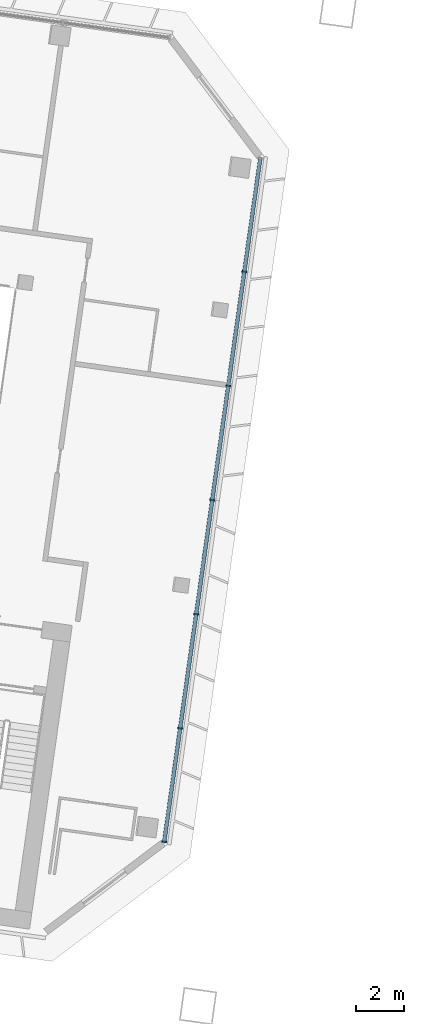
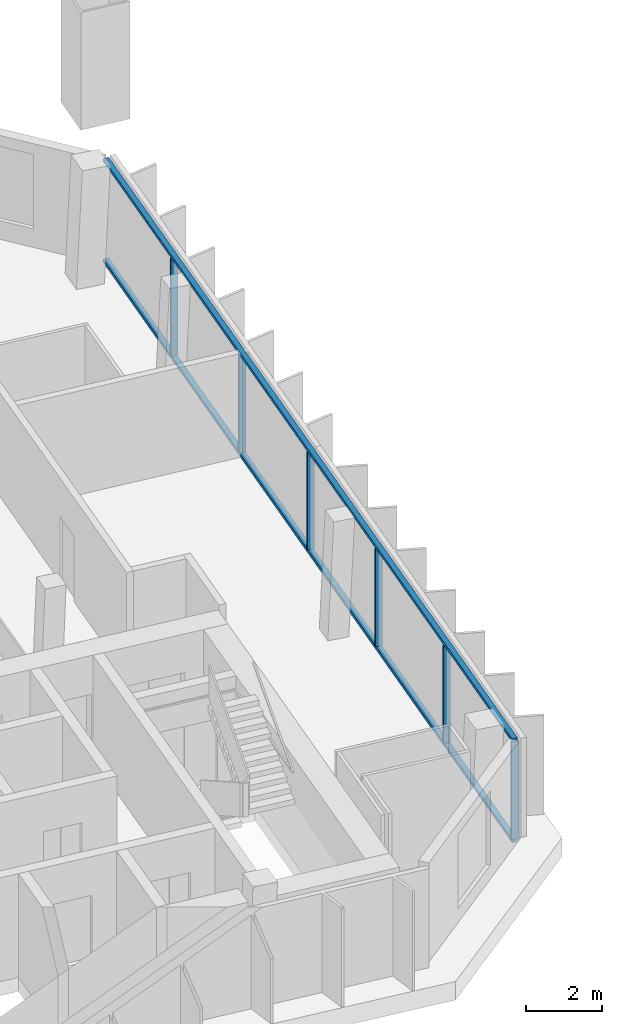
# One storey, part 6 of 25: 8 members, 1 element without a shape of its own.
"""IFC4 building model written with IfcOpenShell, lengths in metres."""

from ifc_helpers import new_model, si_unit, direction, frame, origin, origin_2d, place, context, subcontext, project, spatial, rectangle, extrude, material, material_profile, profile_set, type_object, element, aggregate, save


model = new_model("IFC4")

# Units and contexts
model_context = context("Model", 3, precision=1e-05, world=origin(), true_north=direction((0.0, 1.0)))
body_context = subcontext(model_context, "Body", "Model", "MODEL_VIEW")
ifc_project = project(units=[si_unit("LENGTHUNIT", "METRE"), si_unit("AREAUNIT", "SQUARE_METRE"), si_unit("VOLUMEUNIT", "CUBIC_METRE"), si_unit("PLANEANGLEUNIT", "RADIAN"), si_unit("MASSUNIT", "GRAM", prefix="KILO")], contexts=[model_context])

# Site, building, storey
site_placement = place(None, origin())
site = spatial("IfcSite", under=ifc_project, at=site_placement, CompositionType="ELEMENT")
building_placement = place(site_placement, origin())
building = spatial("IfcBuilding", under=site, at=building_placement, Name="Mirante Cascada Hotel Towers", CompositionType="ELEMENT")
storey_placement = place(building_placement, frame((0.0, 0.0, 172.6)))
storey = spatial("IfcBuildingStorey", under=building, at=storey_placement, Name="L40", CompositionType="ELEMENT", Elevation=172.6)

# Curtain wall, members
ifc_material_1 = material(Name="Aluminium mullion and transom frame with clear laminated glass", Category="aluminium")
curtain_wall_type = type_object("IfcCurtainWallType", Name="End ribbon curtain wall ECW2", PredefinedType="NOTDEFINED", material=ifc_material_1)
curtain_wall_placement = place(storey_placement, origin())
curtain_wall = element("IfcCurtainWall", 1, at=curtain_wall_placement, inside=storey, type_object=curtain_wall_type, Name="Inner end wall T1 L40", PredefinedType="NOTDEFINED")
ifc_material_2 = material(Name="Anodised aluminium extrusion", Category="aluminium")
ifc_material_profile_1 = material_profile(ifc_material_2, rectangle(XDim=0.2, YDim=0.065, at=origin_2d()), Name="ECW2 MULLION 65x200")
ifc_profile_set_1 = profile_set([ifc_material_profile_1], Name="Anodised aluminium extrusion")
member_type_1 = type_object("IfcMemberType", Name="ECW2 mullion 65x200", PredefinedType="MULLION", material=ifc_profile_set_1)
member_1_placement = place(storey_placement, frame((-28.3071, 7.4819, 0.1), z_axis=(0.0, 0.0, 1.0), x_axis=(0.9902681, -0.1391731, 0.0)))
member_1 = element("IfcMember", 2, at=member_1_placement, type_object=member_type_1, Name="ECW2 mullion 2", PredefinedType="MULLION", context=body_context, shape_type="SweptSolid", body=[
    extrude(rectangle(XDim=0.2, YDim=0.065, at=origin_2d()), origin(), (0.0, 0.0, 1.0), 3.15),
])
member_2_placement = place(storey_placement, frame((-28.9769, 2.7161, 0.1), z_axis=(0.0, 0.0, 1.0), x_axis=(0.9902681, -0.1391731, 0.0)))
member_2 = element("IfcMember", 3, at=member_2_placement, type_object=member_type_1, Name="ECW2 mullion 3", PredefinedType="MULLION", context=body_context, shape_type="SweptSolid", body=[
    extrude(rectangle(XDim=0.2, YDim=0.065, at=origin_2d()), origin(), (0.0, 0.0, 1.0), 3.15),
])
member_3_placement = place(storey_placement, frame((-29.6467, -2.0497, 0.1), z_axis=(0.0, 0.0, 1.0), x_axis=(0.9902681, -0.1391731, 0.0)))
member_3 = element("IfcMember", 4, at=member_3_placement, type_object=member_type_1, Name="ECW2 mullion 4", PredefinedType="MULLION", context=body_context, shape_type="SweptSolid", body=[
    extrude(rectangle(XDim=0.2, YDim=0.065, at=origin_2d()), origin(), (0.0, 0.0, 1.0), 3.15),
])
member_4_placement = place(storey_placement, frame((-30.3165, -6.8154, 0.1), z_axis=(0.0, 0.0, 1.0), x_axis=(0.9902681, -0.1391731, 0.0)))
member_4 = element("IfcMember", 5, at=member_4_placement, type_object=member_type_1, Name="ECW2 mullion 5", PredefinedType="MULLION", context=body_context, shape_type="SweptSolid", body=[
    extrude(rectangle(XDim=0.2, YDim=0.065, at=origin_2d()), origin(), (0.0, 0.0, 1.0), 3.15),
])
member_5_placement = place(storey_placement, frame((-30.9863, -11.5812, 0.1), z_axis=(0.0, 0.0, 1.0), x_axis=(0.9902681, -0.1391731, 0.0)))
member_5 = element("IfcMember", 6, at=member_5_placement, type_object=member_type_1, Name="ECW2 mullion 6", PredefinedType="MULLION", context=body_context, shape_type="SweptSolid", body=[
    extrude(rectangle(XDim=0.2, YDim=0.065, at=origin_2d()), origin(), (0.0, 0.0, 1.0), 3.15),
])
member_6_placement = place(storey_placement, frame((-31.6515, -16.3148, 0.1), z_axis=(0.0, 0.0, 1.0), x_axis=(0.9902681, -0.1391731, 0.0)))
member_6 = element("IfcMember", 7, at=member_6_placement, type_object=member_type_1, Name="ECW2 mullion 7", PredefinedType="MULLION", context=body_context, shape_type="SweptSolid", body=[
    extrude(rectangle(XDim=0.2, YDim=0.065, at=origin_2d()), origin(), (0.0, 0.0, 1.0), 3.15),
])
ifc_material_3 = material(Name="Anodised aluminium extrusion", Category="aluminium")
ifc_material_profile_2 = material_profile(ifc_material_3, rectangle(XDim=0.16, YDim=0.1, at=origin_2d()), Name="ECW2 TRANSOM 100x160")
ifc_profile_set_2 = profile_set([ifc_material_profile_2], Name="Anodised aluminium extrusion")
member_type_2 = type_object("IfcMemberType", Name="ECW2 transom 100x160", PredefinedType="USERDEFINED", material=ifc_profile_set_2)
member_7_placement = place(storey_placement, frame((-27.6373, 12.2477, 0.05), z_axis=(-0.1391757, -0.9902677, 0.0), x_axis=(0.9902677, -0.1391757, 0.0)))
member_7 = element("IfcMember", 8, at=member_7_placement, type_object=member_type_2, Name="ECW2 sill transom", ObjectType="TRANSOM", PredefinedType="USERDEFINED", context=body_context, shape_type="SweptSolid", body=[
    extrude(rectangle(XDim=0.16, YDim=0.1, at=origin_2d()), origin(), (0.0, 0.0, 1.0), 28.8757),
])
member_8_placement = place(storey_placement, frame((-27.6373, 12.2477, 3.3), z_axis=(-0.1391757, -0.9902677, 0.0), x_axis=(0.9902677, -0.1391757, 0.0)))
member_8 = element("IfcMember", 9, at=member_8_placement, type_object=member_type_2, Name="ECW2 head transom", ObjectType="TRANSOM", PredefinedType="USERDEFINED", context=body_context, shape_type="SweptSolid", body=[
    extrude(rectangle(XDim=0.16, YDim=0.1, at=origin_2d()), origin(), (0.0, 0.0, 1.0), 28.8757),
])
aggregate(curtain_wall, [member_7, member_8, member_1, member_2, member_3, member_4, member_5, member_6])

save(model, "model.ifc")
